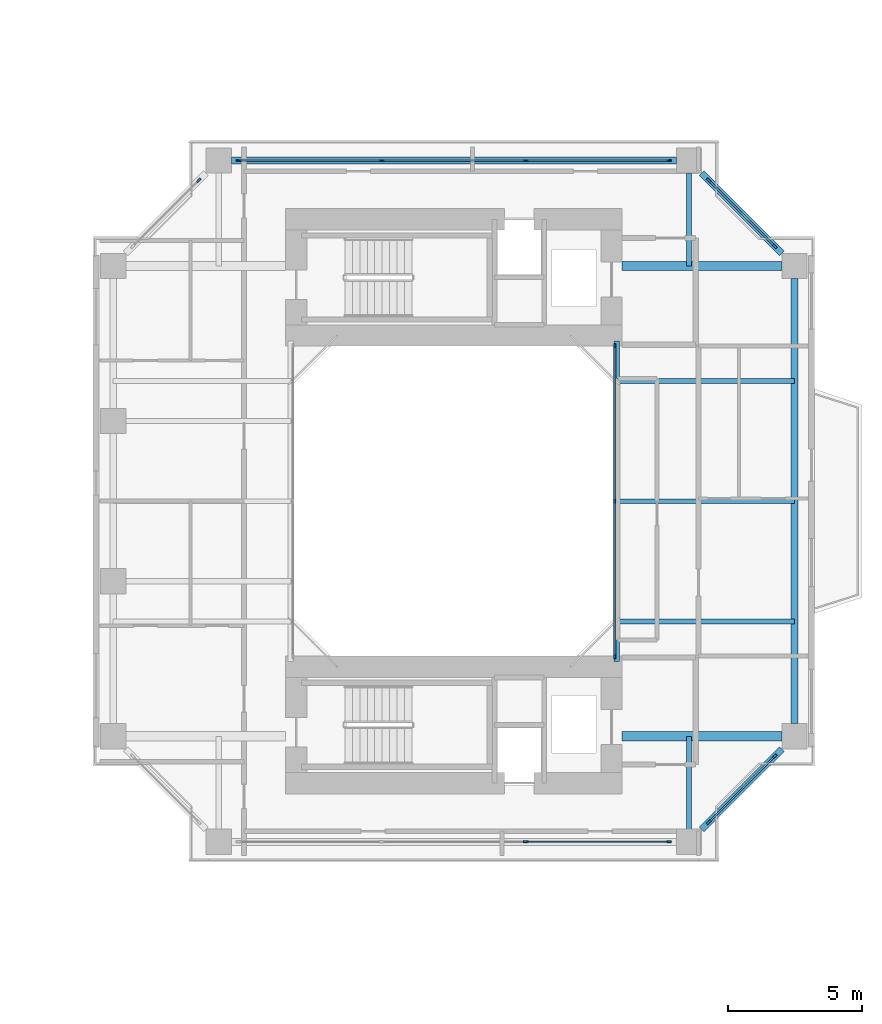
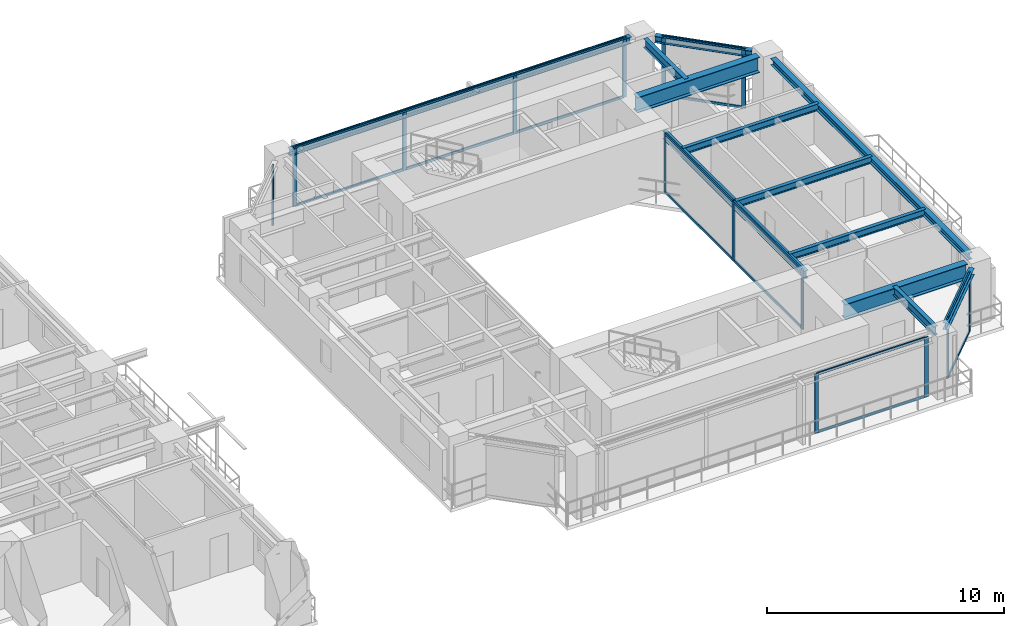
# One storey, part 10 of 24: 30 members, 12 beams, 6 elements without a shape of their own.
"""IFC4 building model written with IfcOpenShell, lengths in metres."""

from ifc_helpers import new_model, si_unit, direction, frame, origin, origin_2d, place, context, subcontext, project, spatial, rectangle, i_section, extrude, source, transform, mapped, material, layer, layer_set, material_profile, profile_set, type_object, element, aggregate, save


model = new_model("IFC4")

# Units and contexts
model_context = context("Model", 3, precision=1e-05, world=origin(), true_north=direction((0.0, 1.0)))
body_context = subcontext(model_context, "Body", "Model", "MODEL_VIEW")
ifc_project = project(units=[si_unit("LENGTHUNIT", "METRE"), si_unit("AREAUNIT", "SQUARE_METRE"), si_unit("VOLUMEUNIT", "CUBIC_METRE"), si_unit("PLANEANGLEUNIT", "RADIAN"), si_unit("MASSUNIT", "GRAM", prefix="KILO"), si_unit("THERMODYNAMICTEMPERATUREUNIT", "KELVIN"), si_unit("POWERUNIT", "WATT")], contexts=[model_context])

# Site, building, storey
site_placement = place(None, origin())
site = spatial("IfcSite", under=ifc_project, at=site_placement, CompositionType="ELEMENT")
building_placement = place(site_placement, origin())
building = spatial("IfcBuilding", under=site, at=building_placement, Name="Qiaomeng Ring Towers", CompositionType="ELEMENT")
storey_placement = place(building_placement, frame((0.0, 0.0, 36.0)))
storey = spatial("IfcBuildingStorey", under=building, at=storey_placement, Name="L09", CompositionType="ELEMENT", Elevation=36.0)

# Beams
ifc_material_1 = material(Name="Steel Q355B", Category="steel")
ifc_material_profile_1 = material_profile(ifc_material_1, i_section(OverallWidth=0.25, OverallDepth=0.340087890625, WebThickness=0.009033203125, FlangeThickness=0.013916015625, FilletRadius=0.02001953125, at=origin_2d()), Name="HM 340x250x9x14")
ifc_profile_set_1 = profile_set([ifc_material_profile_1], Name="Steel Q355B")
beam_type_1 = type_object("IfcBeamType", Name="STR-BM-HM340", PredefinedType="SPANDREL", material=ifc_profile_set_1)
shared_shape_1 = source(origin(), body_context, "Body", "SweptSolid", [
    extrude(i_section(OverallWidth=0.25, OverallDepth=0.340087890625, WebThickness=0.009033203125, FlangeThickness=0.013916015625, FilletRadius=0.02001953125, at=origin_2d()), origin(), (0.0, 0.0, 1.0), 16.65185546875),
])
for number, where, z_axis, x_axis, name in (
    (1, (73.25, 14.674072265625, 2.89990234375), (0.0, 1.0, 0.0), (-1.0, 0.0, 0.0), "L09 beam STR-SP-L09-T2-E1-E2"),
    (2, (68.825927734375, 35.75, 2.89990234375), (-1.0, 0.0, 0.0), (0.0, -1.0, 0.0), "L09 beam STR-SP-L09-T2-N2-N1"),
):
    element("IfcBeam", number, at=place(storey_placement, frame(where, z_axis=z_axis, x_axis=x_axis)), inside=storey, type_object=beam_type_1, Name=name, PredefinedType="SPANDREL", context=body_context, shape_type="MappedRepresentation", body=[
        mapped(shared_shape_1, transform((0.0, 0.0, 0.0), x_axis=(1.0, 0.0, 0.0), y_axis=(0.0, 1.0, 0.0), z_axis=(0.0, 0.0, 1.0), scale=1.0)),
    ])
shared_shape_2 = source(origin(), body_context, "Body", "SweptSolid", [
    extrude(i_section(OverallWidth=0.25, OverallDepth=0.340087890625, WebThickness=0.009033203125, FlangeThickness=0.013916015625, FilletRadius=0.02001953125, at=origin_2d()), origin(), (0.0, 0.0, 1.0), 4.244384765625),
])
for number, where, z_axis, x_axis, name in (
    (3, (69.7744140625, 10.724365234375, 2.89990234375), (0.707106781187, 0.707106781187, 0.0), (-0.707106781187, 0.707106781187, 0.0), "L09 beam STR-SP-L09-T2-S2-E1"),
    (4, (72.775634765625, 32.2744140625, 2.89990234375), (-0.707106781187, 0.707106781187, 0.0), (-0.707106781187, -0.707106781187, 0.0), "L09 beam STR-SP-L09-T2-E2-N2"),
):
    element("IfcBeam", number, at=place(storey_placement, frame(where, z_axis=z_axis, x_axis=x_axis)), inside=storey, type_object=beam_type_1, Name=name, PredefinedType="SPANDREL", context=body_context, shape_type="MappedRepresentation", body=[
        mapped(shared_shape_2, transform((0.0, 0.0, 0.0), x_axis=(1.0, 0.0, 0.0), y_axis=(0.0, 1.0, 0.0), z_axis=(0.0, 0.0, 1.0), scale=1.0)),
    ])
ifc_material_profile_2 = material_profile(ifc_material_1, i_section(OverallWidth=0.199951171875, OverallDepth=0.39990234375, WebThickness=0.008056640625, FlangeThickness=0.012939453125, FilletRadius=0.01611328125, at=origin_2d()), Name="HN 400x200x8x13")
ifc_profile_set_2 = profile_set([ifc_material_profile_2], Name="Steel Q355B")
beam_type_2 = type_object("IfcBeamType", Name="STR-BM-HN400", PredefinedType="SPANDREL", material=ifc_profile_set_2)
shared_shape_3 = source(origin(), body_context, "Body", "SweptSolid", [
    extrude(i_section(OverallWidth=0.199951171875, OverallDepth=0.39990234375, WebThickness=0.008056640625, FlangeThickness=0.012939453125, FilletRadius=0.01611328125, at=origin_2d()), origin(), (0.0, 0.0, 1.0), 12.0),
])
beam_placement = place(storey_placement, frame((66.60009765625, 17.0, 2.8701171875), z_axis=(0.0, 1.0, 0.0), x_axis=(-1.0, 0.0, 0.0)))
element("IfcBeam", 5, at=beam_placement, inside=storey, type_object=beam_type_2, Name="L09 beam STR-BM-L09-T2-WELL-E", PredefinedType="SPANDREL", context=body_context, shape_type="MappedRepresentation", body=[
    mapped(shared_shape_3, transform((0.0, 0.0, 0.0), x_axis=(1.0, 0.0, 0.0), y_axis=(0.0, 1.0, 0.0), z_axis=(0.0, 0.0, 1.0), scale=1.0)),
])
ifc_material_2 = material(Name="Steel Q390GJC", Category="steel")
ifc_material_profile_3 = material_profile(ifc_material_2, i_section(OverallWidth=0.35009765625, OverallDepth=0.800048828125, WebThickness=0.01611328125, FlangeThickness=0.028076171875, at=origin_2d()), Name="WH 800x350x16x28")
ifc_profile_set_3 = profile_set([ifc_material_profile_3], Name="Steel Q390GJC")
beam_type_3 = type_object("IfcBeamType", Name="STR-BM-WH800", PredefinedType="BEAM", material=ifc_profile_set_3)
shared_shape_4 = source(origin(), body_context, "Body", "SweptSolid", [
    extrude(i_section(OverallWidth=0.35009765625, OverallDepth=0.800048828125, WebThickness=0.01611328125, FlangeThickness=0.028076171875, at=origin_2d()), origin(), (0.0, 0.0, 1.0), 5.975830078125),
])
for number, where, z_axis, x_axis, name in (
    (6, (66.800048828125, 14.199951171875, 2.669921875), (1.0, 0.0, 0.0), (0.0, 1.0, 0.0), "L09 beam STR-BM-L09-T2-RAD-E1"),
    (7, (66.800048828125, 31.800048828125, 2.669921875), (1.0, 0.0, 0.0), (0.0, 1.0, 0.0), "L09 beam STR-BM-L09-T2-RAD-E2"),
):
    element("IfcBeam", number, at=place(storey_placement, frame(where, z_axis=z_axis, x_axis=x_axis)), inside=storey, type_object=beam_type_3, Name=name, PredefinedType="BEAM", context=body_context, shape_type="MappedRepresentation", body=[
        mapped(shared_shape_4, transform((0.0, 0.0, 0.0), x_axis=(1.0, 0.0, 0.0), y_axis=(0.0, 1.0, 0.0), z_axis=(0.0, 0.0, 1.0), scale=1.0)),
    ])
ifc_material_profile_4 = material_profile(ifc_material_1, i_section(OverallWidth=0.199951171875, OverallDepth=0.449951171875, WebThickness=0.009033203125, FlangeThickness=0.013916015625, FilletRadius=0.01806640625, at=origin_2d()), Name="HN 450x200x9x14")
ifc_profile_set_4 = profile_set([ifc_material_profile_4], Name="Steel Q355B")
beam_type_4 = type_object("IfcBeamType", Name="STR-BM-HN450", PredefinedType="SPANDREL", material=ifc_profile_set_4)
shared_shape_5 = source(origin(), body_context, "Body", "SweptSolid", [
    extrude(i_section(OverallWidth=0.199951171875, OverallDepth=0.449951171875, WebThickness=0.009033203125, FlangeThickness=0.013916015625, FilletRadius=0.01806640625, at=origin_2d()), origin(), (0.0, 0.0, 1.0), 3.475830078125),
])
for number, where, z_axis, x_axis, name in (
    (8, (69.300048828125, 35.27587890625, 2.844970703125), (0.0, -1.0, 0.0), (1.0, 0.0, 0.0), "L09 beam STR-BM-L09-T2-RAD-N2"),
    (9, (69.300048828125, 10.72412109375, 2.844970703125), (0.0, 1.0, 0.0), (-1.0, 0.0, 0.0), "L09 beam STR-BM-L09-T2-RAD-S2"),
):
    element("IfcBeam", number, at=place(storey_placement, frame(where, z_axis=z_axis, x_axis=x_axis)), inside=storey, type_object=beam_type_4, Name=name, PredefinedType="SPANDREL", context=body_context, shape_type="MappedRepresentation", body=[
        mapped(shared_shape_5, transform((0.0, 0.0, 0.0), x_axis=(1.0, 0.0, 0.0), y_axis=(0.0, 1.0, 0.0), z_axis=(0.0, 0.0, 1.0), scale=1.0)),
    ])
ifc_material_profile_5 = material_profile(ifc_material_1, i_section(OverallWidth=0.175048828125, OverallDepth=0.35009765625, WebThickness=0.007080078125, FlangeThickness=0.010986328125, FilletRadius=0.013916015625, at=origin_2d()), Name="HN 350x175x7x11")
ifc_profile_set_5 = profile_set([ifc_material_profile_5], Name="Steel Q355B")
beam_type_5 = type_object("IfcBeamType", Name="STR-BM-HN350", PredefinedType="JOIST", material=ifc_profile_set_5)
shared_shape_6 = source(origin(), body_context, "Body", "SweptSolid", [
    extrude(i_section(OverallWidth=0.175048828125, OverallDepth=0.35009765625, WebThickness=0.007080078125, FlangeThickness=0.010986328125, FilletRadius=0.013916015625, at=origin_2d()), origin(), (0.0, 0.0, 1.0), 6.64990234375),
])
for number, where, z_axis, x_axis, name in (
    (10, (66.60009765625, 18.5, 2.89501953125), (1.0, 0.0, 0.0), (0.0, 1.0, 0.0), "L09 beam STR-JST-L09-T2E-1"),
    (11, (66.60009765625, 23.0, 2.89501953125), (1.0, 0.0, 0.0), (0.0, 1.0, 0.0), "L09 beam STR-JST-L09-T2E-2"),
    (12, (66.60009765625, 27.5, 2.89501953125), (1.0, 0.0, 0.0), (0.0, 1.0, 0.0), "L09 beam STR-JST-L09-T2E-3"),
):
    element("IfcBeam", number, at=place(storey_placement, frame(where, z_axis=z_axis, x_axis=x_axis)), inside=storey, type_object=beam_type_5, Name=name, PredefinedType="JOIST", context=body_context, shape_type="MappedRepresentation", body=[
        mapped(shared_shape_6, transform((0.0, 0.0, 0.0), x_axis=(1.0, 0.0, 0.0), y_axis=(0.0, 1.0, 0.0), z_axis=(0.0, 0.0, 1.0), scale=1.0)),
    ])

# Curtain wall, members
ifc_material_3 = material(Name="Fluorocarbon dark-grey aluminium", Category="aluminium")
ifc_layer_1 = layer(ifc_material_3, 0.139892578125, Name="Fluorocarbon dark-grey aluminium")
ifc_layer_set_1 = layer_set([ifc_layer_1], Name="Fluorocarbon dark-grey aluminium")
curtain_wall_type_1 = type_object("IfcCurtainWallType", Name="ARC-CW-4", PredefinedType="NOTDEFINED", material=ifc_layer_set_1)
curtain_wall_1_placement = place(storey_placement, origin())
curtain_wall_1 = element("IfcCurtainWall", 13, at=curtain_wall_1_placement, inside=storey, type_object=curtain_wall_type_1, Name="L09 Curtain Wall CW4", PredefinedType="NOTDEFINED")
ifc_material_profile_6 = material_profile(ifc_material_3, rectangle(XDim=0.06494140625, YDim=0.159912109375, at=origin_2d()), Name="ALU MULL 65x160")
ifc_profile_set_6 = profile_set([ifc_material_profile_6], Name="Fluorocarbon dark-grey aluminium")
member_type_1 = type_object("IfcMemberType", Name="ARC-CWM-140", PredefinedType="MULLION", material=ifc_profile_set_6)
shared_shape_7 = source(origin(), body_context, "Body", "SweptSolid", [
    extrude(rectangle(XDim=0.06494140625, YDim=0.159912109375, at=origin_2d()), origin(), (0.0, 0.0, 1.0), 3.070068359375),
])
member_1_placement = place(storey_placement, frame((66.52001953125, 17.1826171875, 0.0), z_axis=(0.0, 0.0, 1.0), x_axis=(-1.0, 0.0, 0.0)))
member_1 = element("IfcMember", 14, at=member_1_placement, type_object=member_type_1, Name="CW4 mullion 1", PredefinedType="MULLION", context=body_context, shape_type="MappedRepresentation", body=[
    mapped(shared_shape_7, transform((0.0, 0.0, 0.0), x_axis=(1.0, 0.0, 0.0), y_axis=(0.0, 1.0, 0.0), z_axis=(0.0, 0.0, 1.0), scale=1.0)),
])
member_2_placement = place(storey_placement, frame((66.52001953125, 23.0, 0.0), z_axis=(0.0, 0.0, 1.0), x_axis=(-1.0, 0.0, 0.0)))
member_2 = element("IfcMember", 15, at=member_2_placement, type_object=member_type_1, Name="CW4 mullion 2", PredefinedType="MULLION", context=body_context, shape_type="MappedRepresentation", body=[
    mapped(shared_shape_7, transform((0.0, 0.0, 0.0), x_axis=(1.0, 0.0, 0.0), y_axis=(0.0, 1.0, 0.0), z_axis=(0.0, 0.0, 1.0), scale=1.0)),
])
member_3_placement = place(storey_placement, frame((66.52001953125, 28.8173828125, 0.0), z_axis=(0.0, 0.0, 1.0), x_axis=(-1.0, 0.0, 0.0)))
member_3 = element("IfcMember", 16, at=member_3_placement, type_object=member_type_1, Name="CW4 mullion 3", PredefinedType="MULLION", context=body_context, shape_type="MappedRepresentation", body=[
    mapped(shared_shape_7, transform((0.0, 0.0, 0.0), x_axis=(1.0, 0.0, 0.0), y_axis=(0.0, 1.0, 0.0), z_axis=(0.0, 0.0, 1.0), scale=1.0)),
])
ifc_material_profile_7 = material_profile(ifc_material_3, rectangle(XDim=0.06494140625, YDim=0.1298828125, at=origin_2d()), Name="ALU TRAN 65x130")
ifc_profile_set_7 = profile_set([ifc_material_profile_7], Name="Fluorocarbon dark-grey aluminium")
member_type_2 = type_object("IfcMemberType", Name="ARC-CWT-120", PredefinedType="USERDEFINED", material=ifc_profile_set_7)
shared_shape_8 = source(origin(), body_context, "Body", "SweptSolid", [
    extrude(rectangle(XDim=0.06494140625, YDim=0.1298828125, at=origin_2d()), origin(), (0.0, 0.0, 1.0), 5.75244140625),
])
member_4_placement = place(storey_placement, frame((66.52001953125, 17.215087890625, 0.032470703125), z_axis=(0.0, 1.0, 0.0), x_axis=(-1.0, 0.0, 0.0)))
member_4 = element("IfcMember", 17, at=member_4_placement, type_object=member_type_2, Name="CW4 transom 1.1", ObjectType="TRANSOM", PredefinedType="USERDEFINED", context=body_context, shape_type="MappedRepresentation", body=[
    mapped(shared_shape_8, transform((0.0, 0.0, 0.0), x_axis=(1.0, 0.0, 0.0), y_axis=(0.0, 1.0, 0.0), z_axis=(0.0, 0.0, 1.0), scale=1.0)),
])
member_5_placement = place(storey_placement, frame((66.52001953125, 17.215087890625, 3.03759765625), z_axis=(0.0, 1.0, 0.0), x_axis=(-1.0, 0.0, 0.0)))
member_5 = element("IfcMember", 18, at=member_5_placement, type_object=member_type_2, Name="CW4 transom 1.2", ObjectType="TRANSOM", PredefinedType="USERDEFINED", context=body_context, shape_type="MappedRepresentation", body=[
    mapped(shared_shape_8, transform((0.0, 0.0, 0.0), x_axis=(1.0, 0.0, 0.0), y_axis=(0.0, 1.0, 0.0), z_axis=(0.0, 0.0, 1.0), scale=1.0)),
])
member_6_placement = place(storey_placement, frame((66.52001953125, 23.032470703125, 0.032470703125), z_axis=(0.0, 1.0, 0.0), x_axis=(-1.0, 0.0, 0.0)))
member_6 = element("IfcMember", 19, at=member_6_placement, type_object=member_type_2, Name="CW4 transom 2.1", ObjectType="TRANSOM", PredefinedType="USERDEFINED", context=body_context, shape_type="MappedRepresentation", body=[
    mapped(shared_shape_8, transform((0.0, 0.0, 0.0), x_axis=(1.0, 0.0, 0.0), y_axis=(0.0, 1.0, 0.0), z_axis=(0.0, 0.0, 1.0), scale=1.0)),
])
member_7_placement = place(storey_placement, frame((66.52001953125, 23.032470703125, 3.03759765625), z_axis=(0.0, 1.0, 0.0), x_axis=(-1.0, 0.0, 0.0)))
member_7 = element("IfcMember", 20, at=member_7_placement, type_object=member_type_2, Name="CW4 transom 2.2", ObjectType="TRANSOM", PredefinedType="USERDEFINED", context=body_context, shape_type="MappedRepresentation", body=[
    mapped(shared_shape_8, transform((0.0, 0.0, 0.0), x_axis=(1.0, 0.0, 0.0), y_axis=(0.0, 1.0, 0.0), z_axis=(0.0, 0.0, 1.0), scale=1.0)),
])
aggregate(curtain_wall_1, [member_1, member_2, member_3, member_4, member_5, member_6, member_7])

ifc_layer_2 = layer(ifc_material_3, 0.14990234375, Name="Fluorocarbon dark-grey aluminium")
ifc_layer_set_2 = layer_set([ifc_layer_2], Name="Fluorocarbon dark-grey aluminium")
curtain_wall_type_2 = type_object("IfcCurtainWallType", Name="ARC-CW-5", PredefinedType="NOTDEFINED", material=ifc_layer_set_2)
curtain_wall_2_placement = place(storey_placement, origin())
curtain_wall_2 = element("IfcCurtainWall", 21, at=curtain_wall_2_placement, inside=storey, type_object=curtain_wall_type_2, Name="L09 Curtain Wall CW5", PredefinedType="NOTDEFINED")
ifc_material_profile_8 = material_profile(ifc_material_3, rectangle(XDim=0.070068359375, YDim=0.179931640625, at=origin_2d()), Name="ALU MULL 70x180")
ifc_profile_set_8 = profile_set([ifc_material_profile_8], Name="Fluorocarbon dark-grey aluminium")
member_type_3 = type_object("IfcMemberType", Name="ARC-CWM-160", PredefinedType="MULLION", material=ifc_profile_set_8)
shared_shape_9 = source(origin(), body_context, "Body", "SweptSolid", [
    extrude(rectangle(XDim=0.070068359375, YDim=0.179931640625, at=origin_2d()), origin(), (0.0, 0.0, 1.0), 3.070068359375),
])
member_8_placement = place(storey_placement, frame((52.449951171875, 35.75, 0.0), z_axis=(0.0, 0.0, 1.0), x_axis=(0.0, 1.0, 0.0)))
member_8 = element("IfcMember", 22, at=member_8_placement, type_object=member_type_3, Name="CW5 mullion 1", PredefinedType="MULLION", context=body_context, shape_type="MappedRepresentation", body=[
    mapped(shared_shape_9, transform((0.0, 0.0, 0.0), x_axis=(1.0, 0.0, 0.0), y_axis=(0.0, 1.0, 0.0), z_axis=(0.0, 0.0, 1.0), scale=1.0)),
])
member_9_placement = place(storey_placement, frame((57.804931640625, 35.75, 0.0), z_axis=(0.0, 0.0, 1.0), x_axis=(0.0, 1.0, 0.0)))
member_9 = element("IfcMember", 23, at=member_9_placement, type_object=member_type_3, Name="CW5 mullion 2", PredefinedType="MULLION", context=body_context, shape_type="MappedRepresentation", body=[
    mapped(shared_shape_9, transform((0.0, 0.0, 0.0), x_axis=(1.0, 0.0, 0.0), y_axis=(0.0, 1.0, 0.0), z_axis=(0.0, 0.0, 1.0), scale=1.0)),
])
member_10_placement = place(storey_placement, frame((63.195068359375, 35.75, 0.0), z_axis=(0.0, 0.0, 1.0), x_axis=(0.0, 1.0, 0.0)))
member_10 = element("IfcMember", 24, at=member_10_placement, type_object=member_type_3, Name="CW5 mullion 3", PredefinedType="MULLION", context=body_context, shape_type="MappedRepresentation", body=[
    mapped(shared_shape_9, transform((0.0, 0.0, 0.0), x_axis=(1.0, 0.0, 0.0), y_axis=(0.0, 1.0, 0.0), z_axis=(0.0, 0.0, 1.0), scale=1.0)),
])
member_11_placement = place(storey_placement, frame((68.550048828125, 35.75, 0.0), z_axis=(0.0, 0.0, 1.0), x_axis=(0.0, 1.0, 0.0)))
member_11 = element("IfcMember", 25, at=member_11_placement, type_object=member_type_3, Name="CW5 mullion 4", PredefinedType="MULLION", context=body_context, shape_type="MappedRepresentation", body=[
    mapped(shared_shape_9, transform((0.0, 0.0, 0.0), x_axis=(1.0, 0.0, 0.0), y_axis=(0.0, 1.0, 0.0), z_axis=(0.0, 0.0, 1.0), scale=1.0)),
])

curtain_wall_3_placement = place(storey_placement, origin())
curtain_wall_3 = element("IfcCurtainWall", 26, at=curtain_wall_3_placement, inside=storey, type_object=curtain_wall_type_2, Name="L09 Curtain Wall CW5", PredefinedType="NOTDEFINED")
member_12_placement = place(storey_placement, frame((70.039794921875, 10.98974609375, 0.0), z_axis=(0.0, 0.0, 1.0), x_axis=(-0.707106781187, 0.707106781187, 0.0)))
member_12 = element("IfcMember", 27, at=member_12_placement, type_object=member_type_3, Name="CW5 mullion 1", PredefinedType="MULLION", context=body_context, shape_type="MappedRepresentation", body=[
    mapped(shared_shape_9, transform((0.0, 0.0, 0.0), x_axis=(1.0, 0.0, 0.0), y_axis=(0.0, 1.0, 0.0), z_axis=(0.0, 0.0, 1.0), scale=1.0)),
])
member_13_placement = place(storey_placement, frame((72.51025390625, 13.460205078125, 0.0), z_axis=(0.0, 0.0, 1.0), x_axis=(-0.707106781187, 0.707106781187, 0.0)))
member_13 = element("IfcMember", 28, at=member_13_placement, type_object=member_type_3, Name="CW5 mullion 2", PredefinedType="MULLION", context=body_context, shape_type="MappedRepresentation", body=[
    mapped(shared_shape_9, transform((0.0, 0.0, 0.0), x_axis=(1.0, 0.0, 0.0), y_axis=(0.0, 1.0, 0.0), z_axis=(0.0, 0.0, 1.0), scale=1.0)),
])

curtain_wall_4_placement = place(storey_placement, origin())
curtain_wall_4 = element("IfcCurtainWall", 29, at=curtain_wall_4_placement, inside=storey, type_object=curtain_wall_type_2, Name="L09 Curtain Wall CW5", PredefinedType="NOTDEFINED")
member_14_placement = place(storey_placement, frame((72.51025390625, 32.539794921875, 0.0), z_axis=(0.0, 0.0, 1.0), x_axis=(-0.707106781187, -0.707106781187, 0.0)))
member_14 = element("IfcMember", 30, at=member_14_placement, type_object=member_type_3, Name="CW5 mullion 1", PredefinedType="MULLION", context=body_context, shape_type="MappedRepresentation", body=[
    mapped(shared_shape_9, transform((0.0, 0.0, 0.0), x_axis=(1.0, 0.0, 0.0), y_axis=(0.0, 1.0, 0.0), z_axis=(0.0, 0.0, 1.0), scale=1.0)),
])
member_15_placement = place(storey_placement, frame((70.039794921875, 35.01025390625, 0.0), z_axis=(0.0, 0.0, 1.0), x_axis=(-0.707106781187, -0.707106781187, 0.0)))
member_15 = element("IfcMember", 31, at=member_15_placement, type_object=member_type_3, Name="CW5 mullion 2", PredefinedType="MULLION", context=body_context, shape_type="MappedRepresentation", body=[
    mapped(shared_shape_9, transform((0.0, 0.0, 0.0), x_axis=(1.0, 0.0, 0.0), y_axis=(0.0, 1.0, 0.0), z_axis=(0.0, 0.0, 1.0), scale=1.0)),
])

# Curtain wall, member
curtain_wall_5_placement = place(storey_placement, origin())
curtain_wall_5 = element("IfcCurtainWall", 32, at=curtain_wall_5_placement, inside=storey, type_object=curtain_wall_type_2, Name="L09 Curtain Wall CW5", PredefinedType="NOTDEFINED")
member_16_placement = place(storey_placement, frame((50.960205078125, 35.01025390625, 0.0), z_axis=(0.0, 0.0, 1.0), x_axis=(0.707106781187, -0.707106781187, 0.0)))
member_16 = element("IfcMember", 33, at=member_16_placement, type_object=member_type_3, Name="CW5 mullion 1", PredefinedType="MULLION", context=body_context, shape_type="MappedRepresentation", body=[
    mapped(shared_shape_9, transform((0.0, 0.0, 0.0), x_axis=(1.0, 0.0, 0.0), y_axis=(0.0, 1.0, 0.0), z_axis=(0.0, 0.0, 1.0), scale=1.0)),
])
aggregate(curtain_wall_5, [member_16])

# Curtain wall, members
curtain_wall_6_placement = place(storey_placement, origin())
curtain_wall_6 = element("IfcCurtainWall", 34, at=curtain_wall_6_placement, inside=storey, type_object=curtain_wall_type_2, Name="L09 Curtain Wall CW5", PredefinedType="NOTDEFINED")
member_17_placement = place(storey_placement, frame((63.195068359375, 10.25, 0.0), z_axis=(0.0, 0.0, 1.0), x_axis=(0.0, 1.0, 0.0)))
member_17 = element("IfcMember", 35, at=member_17_placement, type_object=member_type_3, Name="CW5 mullion 3", PredefinedType="MULLION", context=body_context, shape_type="MappedRepresentation", body=[
    mapped(shared_shape_9, transform((0.0, 0.0, 0.0), x_axis=(1.0, 0.0, 0.0), y_axis=(0.0, 1.0, 0.0), z_axis=(0.0, 0.0, 1.0), scale=1.0)),
])
member_18_placement = place(storey_placement, frame((68.550048828125, 10.25, 0.0), z_axis=(0.0, 0.0, 1.0), x_axis=(0.0, 1.0, 0.0)))
member_18 = element("IfcMember", 36, at=member_18_placement, type_object=member_type_3, Name="CW5 mullion 4", PredefinedType="MULLION", context=body_context, shape_type="MappedRepresentation", body=[
    mapped(shared_shape_9, transform((0.0, 0.0, 0.0), x_axis=(1.0, 0.0, 0.0), y_axis=(0.0, 1.0, 0.0), z_axis=(0.0, 0.0, 1.0), scale=1.0)),
])

# Member
shared_shape_10 = source(origin(), body_context, "Body", "SweptSolid", [
    extrude(rectangle(XDim=0.06494140625, YDim=0.1298828125, at=origin_2d()), origin(), (0.0, 0.0, 1.0), 5.284912109375),
])
member_19_placement = place(storey_placement, frame((52.485107421875, 35.75, 0.032470703125), z_axis=(1.0, 0.0, 0.0), x_axis=(0.0, 1.0, 0.0)))
member_19 = element("IfcMember", 37, at=member_19_placement, type_object=member_type_2, Name="CW5 transom 1.1", ObjectType="TRANSOM", PredefinedType="USERDEFINED", context=body_context, shape_type="MappedRepresentation", body=[
    mapped(shared_shape_10, transform((0.0, 0.0, 0.0), x_axis=(1.0, 0.0, 0.0), y_axis=(0.0, 1.0, 0.0), z_axis=(0.0, 0.0, 1.0), scale=1.0)),
])

member_20_placement = place(storey_placement, frame((52.485107421875, 35.75, 3.03759765625), z_axis=(1.0, 0.0, 0.0), x_axis=(0.0, 1.0, 0.0)))
member_20 = element("IfcMember", 38, at=member_20_placement, type_object=member_type_2, Name="CW5 transom 1.2", ObjectType="TRANSOM", PredefinedType="USERDEFINED", context=body_context, shape_type="MappedRepresentation", body=[
    mapped(shared_shape_10, transform((0.0, 0.0, 0.0), x_axis=(1.0, 0.0, 0.0), y_axis=(0.0, 1.0, 0.0), z_axis=(0.0, 0.0, 1.0), scale=1.0)),
])

member_21_placement = place(storey_placement, frame((63.22998046875, 35.75, 0.032470703125), z_axis=(1.0, 0.0, 0.0), x_axis=(0.0, 1.0, 0.0)))
member_21 = element("IfcMember", 39, at=member_21_placement, type_object=member_type_2, Name="CW5 transom 3.1", ObjectType="TRANSOM", PredefinedType="USERDEFINED", context=body_context, shape_type="MappedRepresentation", body=[
    mapped(shared_shape_10, transform((0.0, 0.0, 0.0), x_axis=(1.0, 0.0, 0.0), y_axis=(0.0, 1.0, 0.0), z_axis=(0.0, 0.0, 1.0), scale=1.0)),
])

member_22_placement = place(storey_placement, frame((63.22998046875, 35.75, 3.03759765625), z_axis=(1.0, 0.0, 0.0), x_axis=(0.0, 1.0, 0.0)))
member_22 = element("IfcMember", 40, at=member_22_placement, type_object=member_type_2, Name="CW5 transom 3.2", ObjectType="TRANSOM", PredefinedType="USERDEFINED", context=body_context, shape_type="MappedRepresentation", body=[
    mapped(shared_shape_10, transform((0.0, 0.0, 0.0), x_axis=(1.0, 0.0, 0.0), y_axis=(0.0, 1.0, 0.0), z_axis=(0.0, 0.0, 1.0), scale=1.0)),
])

member_23_placement = place(storey_placement, frame((63.22998046875, 10.25, 0.032470703125), z_axis=(1.0, 0.0, 0.0), x_axis=(0.0, 1.0, 0.0)))
member_23 = element("IfcMember", 41, at=member_23_placement, type_object=member_type_2, Name="CW5 transom 3.1", ObjectType="TRANSOM", PredefinedType="USERDEFINED", context=body_context, shape_type="MappedRepresentation", body=[
    mapped(shared_shape_10, transform((0.0, 0.0, 0.0), x_axis=(1.0, 0.0, 0.0), y_axis=(0.0, 1.0, 0.0), z_axis=(0.0, 0.0, 1.0), scale=1.0)),
])

member_24_placement = place(storey_placement, frame((63.22998046875, 10.25, 3.03759765625), z_axis=(1.0, 0.0, 0.0), x_axis=(0.0, 1.0, 0.0)))
member_24 = element("IfcMember", 42, at=member_24_placement, type_object=member_type_2, Name="CW5 transom 3.2", ObjectType="TRANSOM", PredefinedType="USERDEFINED", context=body_context, shape_type="MappedRepresentation", body=[
    mapped(shared_shape_10, transform((0.0, 0.0, 0.0), x_axis=(1.0, 0.0, 0.0), y_axis=(0.0, 1.0, 0.0), z_axis=(0.0, 0.0, 1.0), scale=1.0)),
])

aggregate(curtain_wall_6, [member_17, member_18, member_23, member_24])

shared_shape_11 = source(origin(), body_context, "Body", "SweptSolid", [
    extrude(rectangle(XDim=0.06494140625, YDim=0.1298828125, at=origin_2d()), origin(), (0.0, 0.0, 1.0), 5.31982421875),
])
member_25_placement = place(storey_placement, frame((57.840087890625, 35.75, 0.032470703125), z_axis=(1.0, 0.0, 0.0), x_axis=(0.0, 1.0, 0.0)))
member_25 = element("IfcMember", 43, at=member_25_placement, type_object=member_type_2, Name="CW5 transom 2.1", ObjectType="TRANSOM", PredefinedType="USERDEFINED", context=body_context, shape_type="MappedRepresentation", body=[
    mapped(shared_shape_11, transform((0.0, 0.0, 0.0), x_axis=(1.0, 0.0, 0.0), y_axis=(0.0, 1.0, 0.0), z_axis=(0.0, 0.0, 1.0), scale=1.0)),
])

member_26_placement = place(storey_placement, frame((57.840087890625, 35.75, 3.03759765625), z_axis=(1.0, 0.0, 0.0), x_axis=(0.0, 1.0, 0.0)))
member_26 = element("IfcMember", 44, at=member_26_placement, type_object=member_type_2, Name="CW5 transom 2.2", ObjectType="TRANSOM", PredefinedType="USERDEFINED", context=body_context, shape_type="MappedRepresentation", body=[
    mapped(shared_shape_11, transform((0.0, 0.0, 0.0), x_axis=(1.0, 0.0, 0.0), y_axis=(0.0, 1.0, 0.0), z_axis=(0.0, 0.0, 1.0), scale=1.0)),
])

aggregate(curtain_wall_2, [member_8, member_9, member_10, member_11, member_19, member_20, member_25, member_26, member_21, member_22])

shared_shape_12 = source(origin(), body_context, "Body", "SweptSolid", [
    extrude(rectangle(XDim=0.06494140625, YDim=0.1298828125, at=origin_2d()), origin(), (0.0, 0.0, 1.0), 3.424072265625),
])
member_27_placement = place(storey_placement, frame((70.064453125, 11.014404296875, 0.032470703125), z_axis=(0.707106781187, 0.707106781187, 0.0), x_axis=(-0.707106781187, 0.707106781187, 0.0)))
member_27 = element("IfcMember", 45, at=member_27_placement, type_object=member_type_2, Name="CW5 transom 1.1", ObjectType="TRANSOM", PredefinedType="USERDEFINED", context=body_context, shape_type="MappedRepresentation", body=[
    mapped(shared_shape_12, transform((0.0, 0.0, 0.0), x_axis=(1.0, 0.0, 0.0), y_axis=(0.0, 1.0, 0.0), z_axis=(0.0, 0.0, 1.0), scale=1.0)),
])

member_28_placement = place(storey_placement, frame((70.064453125, 11.014404296875, 3.03759765625), z_axis=(0.707106781187, 0.707106781187, 0.0), x_axis=(-0.707106781187, 0.707106781187, 0.0)))
member_28 = element("IfcMember", 46, at=member_28_placement, type_object=member_type_2, Name="CW5 transom 1.2", ObjectType="TRANSOM", PredefinedType="USERDEFINED", context=body_context, shape_type="MappedRepresentation", body=[
    mapped(shared_shape_12, transform((0.0, 0.0, 0.0), x_axis=(1.0, 0.0, 0.0), y_axis=(0.0, 1.0, 0.0), z_axis=(0.0, 0.0, 1.0), scale=1.0)),
])

aggregate(curtain_wall_3, [member_12, member_13, member_27, member_28])

member_29_placement = place(storey_placement, frame((72.485595703125, 32.564453125, 0.032470703125), z_axis=(-0.707106781187, 0.707106781187, 0.0), x_axis=(-0.707106781187, -0.707106781187, 0.0)))
member_29 = element("IfcMember", 47, at=member_29_placement, type_object=member_type_2, Name="CW5 transom 1.1", ObjectType="TRANSOM", PredefinedType="USERDEFINED", context=body_context, shape_type="MappedRepresentation", body=[
    mapped(shared_shape_12, transform((0.0, 0.0, 0.0), x_axis=(1.0, 0.0, 0.0), y_axis=(0.0, 1.0, 0.0), z_axis=(0.0, 0.0, 1.0), scale=1.0)),
])

member_30_placement = place(storey_placement, frame((72.485595703125, 32.564453125, 3.03759765625), z_axis=(-0.707106781187, 0.707106781187, 0.0), x_axis=(-0.707106781187, -0.707106781187, 0.0)))
member_30 = element("IfcMember", 48, at=member_30_placement, type_object=member_type_2, Name="CW5 transom 1.2", ObjectType="TRANSOM", PredefinedType="USERDEFINED", context=body_context, shape_type="MappedRepresentation", body=[
    mapped(shared_shape_12, transform((0.0, 0.0, 0.0), x_axis=(1.0, 0.0, 0.0), y_axis=(0.0, 1.0, 0.0), z_axis=(0.0, 0.0, 1.0), scale=1.0)),
])

aggregate(curtain_wall_4, [member_14, member_15, member_29, member_30])

save(model, "model.ifc")
